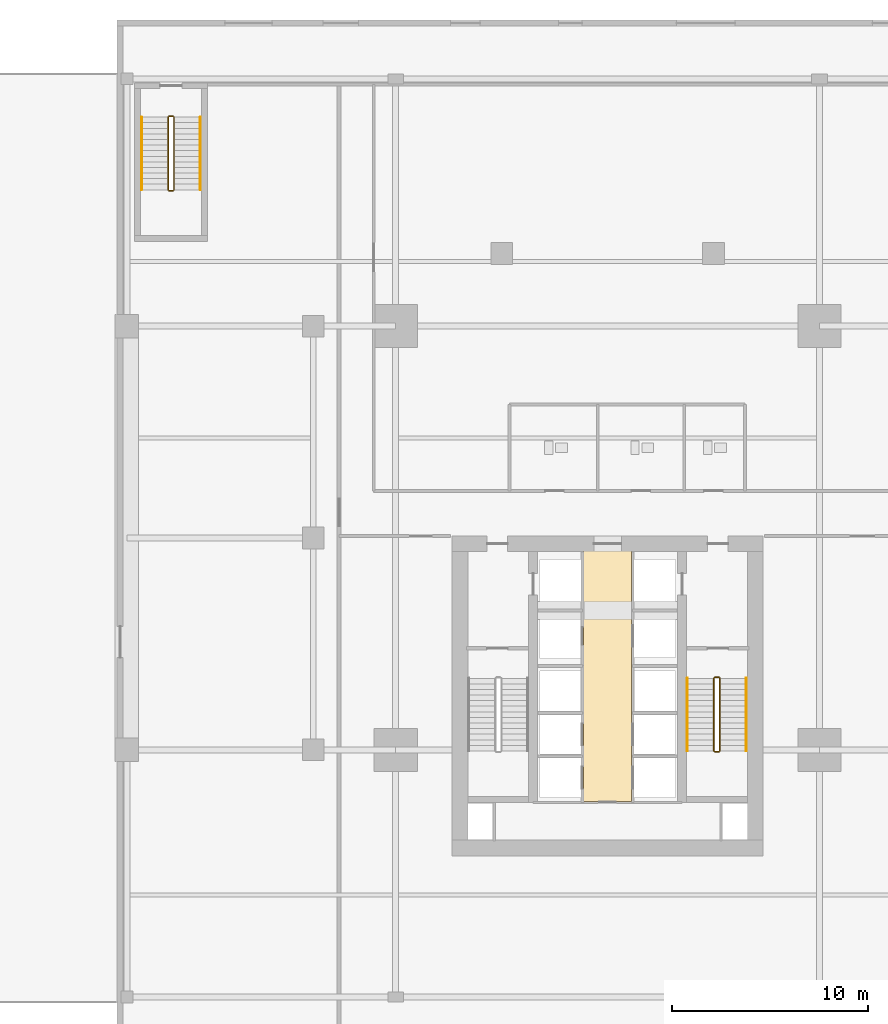
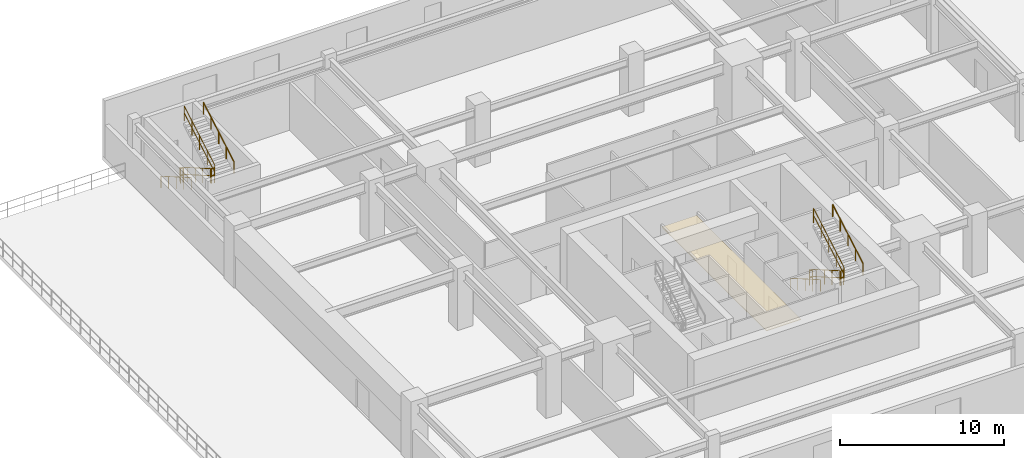
# One storey, part 6 of 9: 12 railings, 1 covering.
"""IFC4 building model written with IfcOpenShell, lengths in metres."""

from ifc_helpers import new_model, si_unit, direction, frame, origin, origin_2d, place, context, subcontext, project, spatial, polyline, circle, outline, extrude, material, layer, layer_set, type_object, element, save


model = new_model("IFC4")

# Units and contexts
model_context = context("Model", 3, precision=1e-05, world=origin(), true_north=direction((0.0, 1.0)))
body_context = subcontext(model_context, "Body", "Model", "MODEL_VIEW")
ifc_project = project(units=[si_unit("LENGTHUNIT", "METRE"), si_unit("AREAUNIT", "SQUARE_METRE"), si_unit("VOLUMEUNIT", "CUBIC_METRE"), si_unit("PLANEANGLEUNIT", "RADIAN"), si_unit("MASSUNIT", "GRAM", prefix="KILO")], contexts=[model_context])

# Site, building, storey
site_placement = place(None, origin())
site = spatial("IfcSite", under=ifc_project, at=site_placement, CompositionType="ELEMENT")
building_placement = place(site_placement, origin())
building = spatial("IfcBuilding", under=site, at=building_placement, Name="Krantzveldt Concourse Tower", CompositionType="ELEMENT")
storey_placement = place(building_placement, frame((0.0, 0.0, 15.39990234375)))
storey = spatial("IfcBuildingStorey", under=building, at=storey_placement, Name="L03", CompositionType="ELEMENT", Elevation=15.39990234375)

# Covering
ifc_material_1 = material(Name="Perforated acoustic mineral-fibre ceiling tile", Category="ceiling")
ifc_layer_1 = layer(ifc_material_1, 0.0400390625, Name="Perforated acoustic mineral-fibre ceiling tile", Category="ceiling")
ifc_layer_set_1 = layer_set([ifc_layer_1], Name="Perforated acoustic mineral-fibre ceiling tile (COV-CEIL-ACOUSTIC)")
covering_type = type_object("IfcCoveringType", Name="COV-CEIL-ACOUSTIC", PredefinedType="CEILING", material=ifc_layer_set_1)
covering_placement = place(storey_placement, frame((0.0, 0.0, 2.75)))
element("IfcCovering", 1, at=covering_placement, inside=storey, type_object=covering_type, Name="CLG-L03-LLB", PredefinedType="CEILING", context=body_context, shape_type="SweptSolid", body=[
    extrude(outline(polyline([(34.77490234375, 13.27490234375), (34.77490234375, 26.044921875), (37.22509765625, 26.044921875), (37.22509765625, 13.27490234375), (34.77490234375, 13.27490234375)])), origin(), (0.0, 0.0, 1.0), 0.0400390625),
])

# Railings
ifc_material_2 = material(Name="Stainless steel 316L", Category="steel")
ifc_layer_2 = layer(ifc_material_2, 0.06005859375, Name="Stainless steel 316L", Category="steel")
ifc_layer_set_2 = layer_set([ifc_layer_2], Name="Stainless steel 316L (RL-GUARD-1120)")
railing_type_1 = type_object("IfcRailingType", Name="RL-GUARD-1120", PredefinedType="GUARDRAIL", material=ifc_layer_set_2)
railing_1_placement = place(storey_placement, frame((41.419921875, 19.550048828125, 0.164306640625)))
element("IfcRailing", 2, at=railing_1_placement, inside=storey, type_object=railing_type_1, Name="L03 ST-2 stair guard 1", PredefinedType="GUARDRAIL", context=body_context, shape_type="SweptSolid", body=[
    extrude(circle(Radius=0.02392578125, at=origin_2d()), frame((0.0, 0.0, 1.076171875), z_axis=(0.0, -0.866368007254, 0.499406123317), x_axis=(1.0, 0.0, 0.0)), (0.0, 0.0, 1.0), 4.276611328125),
    extrude(circle(Radius=0.02392578125, at=origin_2d()), frame((0.0, 0.0, 0.550048828125), z_axis=(0.0, -0.866368007254, 0.499406123317), x_axis=(1.0, 0.0, 0.0)), (0.0, 0.0, 1.0), 4.276611328125),
    extrude(circle(Radius=0.02099609375, at=origin_2d()), origin(), (0.0, 0.0, 1.0), 1.052001953125),
    extrude(circle(Radius=0.02099609375, at=origin_2d()), frame((0.0, -0.92626953125, 0.533935546875)), (0.0, 0.0, 1.0), 1.052001953125),
    extrude(circle(Radius=0.02099609375, at=origin_2d()), frame((0.0, -1.8525390625, 1.06787109375)), (0.0, 0.0, 1.0), 1.052001953125),
    extrude(circle(Radius=0.02099609375, at=origin_2d()), frame((0.0, -2.77880859375, 1.601806640625)), (0.0, 0.0, 1.0), 1.052001953125),
    extrude(circle(Radius=0.02099609375, at=origin_2d()), frame((0.0, -3.705078125, 2.1357421875)), (0.0, 0.0, 1.0), 1.052001953125),
])
railing_2_placement = place(storey_placement, frame((41.469970703125, 15.794921875, 2.300048828125)))
element("IfcRailing", 3, at=railing_2_placement, inside=storey, type_object=railing_type_1, Name="L03 ST-2 stair guard 2", PredefinedType="GUARDRAIL", context=body_context, shape_type="SweptSolid", body=[
    extrude(circle(Radius=0.02392578125, at=origin_2d()), frame((0.0, 0.0, 1.076171875), z_axis=(1.0, 0.0, 0.0), x_axis=(0.0, 1.0, 0.0)), (0.0, 0.0, 1.0), 0.199951171875),
    extrude(circle(Radius=0.02392578125, at=origin_2d()), frame((0.0, 0.0, 0.550048828125), z_axis=(1.0, 0.0, 0.0), x_axis=(0.0, 1.0, 0.0)), (0.0, 0.0, 1.0), 0.199951171875),
    extrude(circle(Radius=0.02099609375, at=origin_2d()), origin(), (0.0, 0.0, 1.0), 1.052001953125),
    extrude(circle(Radius=0.02099609375, at=origin_2d()), frame((0.199951171875, 0.0, 0.0)), (0.0, 0.0, 1.0), 1.052001953125),
])
railing_3_placement = place(storey_placement, frame((41.719970703125, 15.844970703125, 2.46435546875)))
element("IfcRailing", 4, at=railing_3_placement, inside=storey, type_object=railing_type_1, Name="L03 ST-2 stair guard 3", PredefinedType="GUARDRAIL", context=body_context, shape_type="SweptSolid", body=[
    extrude(circle(Radius=0.02392578125, at=origin_2d()), frame((0.0, 0.0, 1.076171875), z_axis=(0.0, 0.866368007254, 0.499406123317), x_axis=(-1.0, 0.0, 0.0)), (0.0, 0.0, 1.0), 4.276611328125),
    extrude(circle(Radius=0.02392578125, at=origin_2d()), frame((0.0, 0.0, 0.550048828125), z_axis=(0.0, 0.866368007254, 0.499406123317), x_axis=(-1.0, 0.0, 0.0)), (0.0, 0.0, 1.0), 4.276611328125),
    extrude(circle(Radius=0.02099609375, at=origin_2d()), origin(), (0.0, 0.0, 1.0), 1.052001953125),
    extrude(circle(Radius=0.02099609375, at=origin_2d()), frame((0.0, 0.92626953125, 0.533935546875)), (0.0, 0.0, 1.0), 1.052001953125),
    extrude(circle(Radius=0.02099609375, at=origin_2d()), frame((0.0, 1.8525390625, 1.06787109375)), (0.0, 0.0, 1.0), 1.052001953125),
    extrude(circle(Radius=0.02099609375, at=origin_2d()), frame((0.0, 2.77880859375, 1.601806640625)), (0.0, 0.0, 1.0), 1.052001953125),
    extrude(circle(Radius=0.02099609375, at=origin_2d()), frame((0.0, 3.705078125, 2.1357421875)), (0.0, 0.0, 1.0), 1.052001953125),
])
railing_4_placement = place(storey_placement, frame((41.469970703125, 19.60009765625, 0.0)))
element("IfcRailing", 5, at=railing_4_placement, inside=storey, type_object=railing_type_1, Name="L03 ST-2 stair guard 4", PredefinedType="GUARDRAIL", context=body_context, shape_type="SweptSolid", body=[
    extrude(circle(Radius=0.02392578125, at=origin_2d()), frame((0.0, 0.0, 1.076171875), z_axis=(1.0, 0.0, 0.0), x_axis=(0.0, 1.0, 0.0)), (0.0, 0.0, 1.0), 0.199951171875),
    extrude(circle(Radius=0.02392578125, at=origin_2d()), frame((0.0, 0.0, 0.550048828125), z_axis=(1.0, 0.0, 0.0), x_axis=(0.0, 1.0, 0.0)), (0.0, 0.0, 1.0), 0.199951171875),
    extrude(circle(Radius=0.02099609375, at=origin_2d()), origin(), (0.0, 0.0, 1.0), 1.052001953125),
    extrude(circle(Radius=0.02099609375, at=origin_2d()), frame((0.199951171875, 0.0, 0.0)), (0.0, 0.0, 1.0), 1.052001953125),
])
railing_5_placement = place(storey_placement, frame((13.60009765625, 48.14990234375, 0.164306640625)))
element("IfcRailing", 6, at=railing_5_placement, inside=storey, type_object=railing_type_1, Name="L03 ST-3 stair guard 1", PredefinedType="GUARDRAIL", context=body_context, shape_type="SweptSolid", body=[
    extrude(circle(Radius=0.02392578125, at=origin_2d()), frame((0.0, 0.0, 1.076171875), z_axis=(0.0, -0.866353768072, 0.499430824586), x_axis=(1.0, 0.0, 0.0)), (0.0, 0.0, 1.0), 4.2763671875),
    extrude(circle(Radius=0.02392578125, at=origin_2d()), frame((0.0, 0.0, 0.550048828125), z_axis=(0.0, -0.866353768072, 0.499430824586), x_axis=(1.0, 0.0, 0.0)), (0.0, 0.0, 1.0), 4.2763671875),
    extrude(circle(Radius=0.02099609375, at=origin_2d()), origin(), (0.0, 0.0, 1.0), 1.052001953125),
    extrude(circle(Radius=0.02099609375, at=origin_2d()), frame((0.0, -0.92626953125, 0.533935546875)), (0.0, 0.0, 1.0), 1.052001953125),
    extrude(circle(Radius=0.02099609375, at=origin_2d()), frame((0.0, -1.8525390625, 1.06787109375)), (0.0, 0.0, 1.0), 1.052001953125),
    extrude(circle(Radius=0.02099609375, at=origin_2d()), frame((0.0, -2.778564453125, 1.601806640625)), (0.0, 0.0, 1.0), 1.052001953125),
    extrude(circle(Radius=0.02099609375, at=origin_2d()), frame((0.0, -3.704833984375, 2.1357421875)), (0.0, 0.0, 1.0), 1.052001953125),
])
railing_6_placement = place(storey_placement, frame((13.64990234375, 44.39501953125, 2.300048828125)))
element("IfcRailing", 7, at=railing_6_placement, inside=storey, type_object=railing_type_1, Name="L03 ST-3 stair guard 2", PredefinedType="GUARDRAIL", context=body_context, shape_type="SweptSolid", body=[
    extrude(circle(Radius=0.02392578125, at=origin_2d()), frame((0.0, 0.0, 1.076171875), z_axis=(1.0, 0.0, 0.0), x_axis=(0.0, 1.0, 0.0)), (0.0, 0.0, 1.0), 0.2001953125),
    extrude(circle(Radius=0.02392578125, at=origin_2d()), frame((0.0, 0.0, 0.550048828125), z_axis=(1.0, 0.0, 0.0), x_axis=(0.0, 1.0, 0.0)), (0.0, 0.0, 1.0), 0.2001953125),
    extrude(circle(Radius=0.02099609375, at=origin_2d()), origin(), (0.0, 0.0, 1.0), 1.052001953125),
    extrude(circle(Radius=0.02099609375, at=origin_2d()), frame((0.2001953125, 0.0, 0.0)), (0.0, 0.0, 1.0), 1.052001953125),
])
railing_7_placement = place(storey_placement, frame((13.89990234375, 44.445068359375, 2.46435546875)))
element("IfcRailing", 8, at=railing_7_placement, inside=storey, type_object=railing_type_1, Name="L03 ST-3 stair guard 3", PredefinedType="GUARDRAIL", context=body_context, shape_type="SweptSolid", body=[
    extrude(circle(Radius=0.02392578125, at=origin_2d()), frame((0.0, 0.0, 1.076171875), z_axis=(0.0, 0.866353768072, 0.499430824586), x_axis=(-1.0, 0.0, 0.0)), (0.0, 0.0, 1.0), 4.2763671875),
    extrude(circle(Radius=0.02392578125, at=origin_2d()), frame((0.0, 0.0, 0.550048828125), z_axis=(0.0, 0.866353768072, 0.499430824586), x_axis=(-1.0, 0.0, 0.0)), (0.0, 0.0, 1.0), 4.2763671875),
    extrude(circle(Radius=0.02099609375, at=origin_2d()), origin(), (0.0, 0.0, 1.0), 1.052001953125),
    extrude(circle(Radius=0.02099609375, at=origin_2d()), frame((0.0, 0.92626953125, 0.533935546875)), (0.0, 0.0, 1.0), 1.052001953125),
    extrude(circle(Radius=0.02099609375, at=origin_2d()), frame((0.0, 1.8525390625, 1.06787109375)), (0.0, 0.0, 1.0), 1.052001953125),
    extrude(circle(Radius=0.02099609375, at=origin_2d()), frame((0.0, 2.778564453125, 1.601806640625)), (0.0, 0.0, 1.0), 1.052001953125),
    extrude(circle(Radius=0.02099609375, at=origin_2d()), frame((0.0, 3.704833984375, 2.1357421875)), (0.0, 0.0, 1.0), 1.052001953125),
])
railing_8_placement = place(storey_placement, frame((13.64990234375, 48.199951171875, 0.0)))
element("IfcRailing", 9, at=railing_8_placement, inside=storey, type_object=railing_type_1, Name="L03 ST-3 stair guard 4", PredefinedType="GUARDRAIL", context=body_context, shape_type="SweptSolid", body=[
    extrude(circle(Radius=0.02392578125, at=origin_2d()), frame((0.0, 0.0, 1.076171875), z_axis=(1.0, 0.0, 0.0), x_axis=(0.0, 1.0, 0.0)), (0.0, 0.0, 1.0), 0.2001953125),
    extrude(circle(Radius=0.02392578125, at=origin_2d()), frame((0.0, 0.0, 0.550048828125), z_axis=(1.0, 0.0, 0.0), x_axis=(0.0, 1.0, 0.0)), (0.0, 0.0, 1.0), 0.2001953125),
    extrude(circle(Radius=0.02099609375, at=origin_2d()), origin(), (0.0, 0.0, 1.0), 1.052001953125),
    extrude(circle(Radius=0.02099609375, at=origin_2d()), frame((0.2001953125, 0.0, 0.0)), (0.0, 0.0, 1.0), 1.052001953125),
])
ifc_layer_3 = layer(ifc_material_2, 0.050048828125, Name="Stainless steel 316L", Category="steel")
ifc_layer_set_3 = layer_set([ifc_layer_3], Name="Stainless steel 316L (RL-HANDRAIL-920)")
railing_type_2 = type_object("IfcRailingType", Name="RL-HANDRAIL-920", PredefinedType="HANDRAIL", material=ifc_layer_set_3)
railing_9_placement = place(storey_placement, frame((40.070068359375, 19.550048828125, 0.164306640625)))
element("IfcRailing", 10, at=railing_9_placement, inside=storey, type_object=railing_type_2, Name="L03 ST-2 stair handrail 1", PredefinedType="HANDRAIL", context=body_context, shape_type="SweptSolid", body=[
    extrude(circle(Radius=0.02392578125, at=origin_2d()), frame((0.0, 0.0, 0.8759765625), z_axis=(0.0, -0.866368007254, 0.499406123317), x_axis=(1.0, 0.0, 0.0)), (0.0, 0.0, 1.0), 4.276611328125),
    extrude(circle(Radius=0.02099609375, at=origin_2d()), origin(), (0.0, 0.0, 1.0), 0.851806640625),
    extrude(circle(Radius=0.02099609375, at=origin_2d()), frame((0.0, -0.92626953125, 0.533935546875)), (0.0, 0.0, 1.0), 0.851806640625),
    extrude(circle(Radius=0.02099609375, at=origin_2d()), frame((0.0, -1.8525390625, 1.06787109375)), (0.0, 0.0, 1.0), 0.851806640625),
    extrude(circle(Radius=0.02099609375, at=origin_2d()), frame((0.0, -2.77880859375, 1.601806640625)), (0.0, 0.0, 1.0), 0.851806640625),
    extrude(circle(Radius=0.02099609375, at=origin_2d()), frame((0.0, -3.705078125, 2.1357421875)), (0.0, 0.0, 1.0), 0.851806640625),
])
railing_10_placement = place(storey_placement, frame((43.070068359375, 15.844970703125, 2.46435546875)))
element("IfcRailing", 11, at=railing_10_placement, inside=storey, type_object=railing_type_2, Name="L03 ST-2 stair handrail 2", PredefinedType="HANDRAIL", context=body_context, shape_type="SweptSolid", body=[
    extrude(circle(Radius=0.02392578125, at=origin_2d()), frame((0.0, 0.0, 0.8759765625), z_axis=(0.0, 0.866368007254, 0.499406123317), x_axis=(-1.0, 0.0, 0.0)), (0.0, 0.0, 1.0), 4.276611328125),
    extrude(circle(Radius=0.02099609375, at=origin_2d()), origin(), (0.0, 0.0, 1.0), 0.851806640625),
    extrude(circle(Radius=0.02099609375, at=origin_2d()), frame((0.0, 0.92626953125, 0.533935546875)), (0.0, 0.0, 1.0), 0.851806640625),
    extrude(circle(Radius=0.02099609375, at=origin_2d()), frame((0.0, 1.8525390625, 1.06787109375)), (0.0, 0.0, 1.0), 0.851806640625),
    extrude(circle(Radius=0.02099609375, at=origin_2d()), frame((0.0, 2.77880859375, 1.601806640625)), (0.0, 0.0, 1.0), 0.851806640625),
    extrude(circle(Radius=0.02099609375, at=origin_2d()), frame((0.0, 3.705078125, 2.1357421875)), (0.0, 0.0, 1.0), 0.851806640625),
])
railing_11_placement = place(storey_placement, frame((12.25, 48.14990234375, 0.164306640625)))
element("IfcRailing", 12, at=railing_11_placement, inside=storey, type_object=railing_type_2, Name="L03 ST-3 stair handrail 1", PredefinedType="HANDRAIL", context=body_context, shape_type="SweptSolid", body=[
    extrude(circle(Radius=0.02392578125, at=origin_2d()), frame((0.0, 0.0, 0.8759765625), z_axis=(0.0, -0.866353768072, 0.499430824586), x_axis=(1.0, 0.0, 0.0)), (0.0, 0.0, 1.0), 4.2763671875),
    extrude(circle(Radius=0.02099609375, at=origin_2d()), origin(), (0.0, 0.0, 1.0), 0.851806640625),
    extrude(circle(Radius=0.02099609375, at=origin_2d()), frame((0.0, -0.92626953125, 0.533935546875)), (0.0, 0.0, 1.0), 0.851806640625),
    extrude(circle(Radius=0.02099609375, at=origin_2d()), frame((0.0, -1.8525390625, 1.06787109375)), (0.0, 0.0, 1.0), 0.851806640625),
    extrude(circle(Radius=0.02099609375, at=origin_2d()), frame((0.0, -2.778564453125, 1.601806640625)), (0.0, 0.0, 1.0), 0.851806640625),
    extrude(circle(Radius=0.02099609375, at=origin_2d()), frame((0.0, -3.704833984375, 2.1357421875)), (0.0, 0.0, 1.0), 0.851806640625),
])
railing_12_placement = place(storey_placement, frame((15.25, 44.445068359375, 2.46435546875)))
element("IfcRailing", 13, at=railing_12_placement, inside=storey, type_object=railing_type_2, Name="L03 ST-3 stair handrail 2", PredefinedType="HANDRAIL", context=body_context, shape_type="SweptSolid", body=[
    extrude(circle(Radius=0.02392578125, at=origin_2d()), frame((0.0, 0.0, 0.8759765625), z_axis=(0.0, 0.866353768072, 0.499430824586), x_axis=(-1.0, 0.0, 0.0)), (0.0, 0.0, 1.0), 4.2763671875),
    extrude(circle(Radius=0.02099609375, at=origin_2d()), origin(), (0.0, 0.0, 1.0), 0.851806640625),
    extrude(circle(Radius=0.02099609375, at=origin_2d()), frame((0.0, 0.92626953125, 0.533935546875)), (0.0, 0.0, 1.0), 0.851806640625),
    extrude(circle(Radius=0.02099609375, at=origin_2d()), frame((0.0, 1.8525390625, 1.06787109375)), (0.0, 0.0, 1.0), 0.851806640625),
    extrude(circle(Radius=0.02099609375, at=origin_2d()), frame((0.0, 2.778564453125, 1.601806640625)), (0.0, 0.0, 1.0), 0.851806640625),
    extrude(circle(Radius=0.02099609375, at=origin_2d()), frame((0.0, 3.704833984375, 2.1357421875)), (0.0, 0.0, 1.0), 0.851806640625),
])

save(model, "model.ifc")
